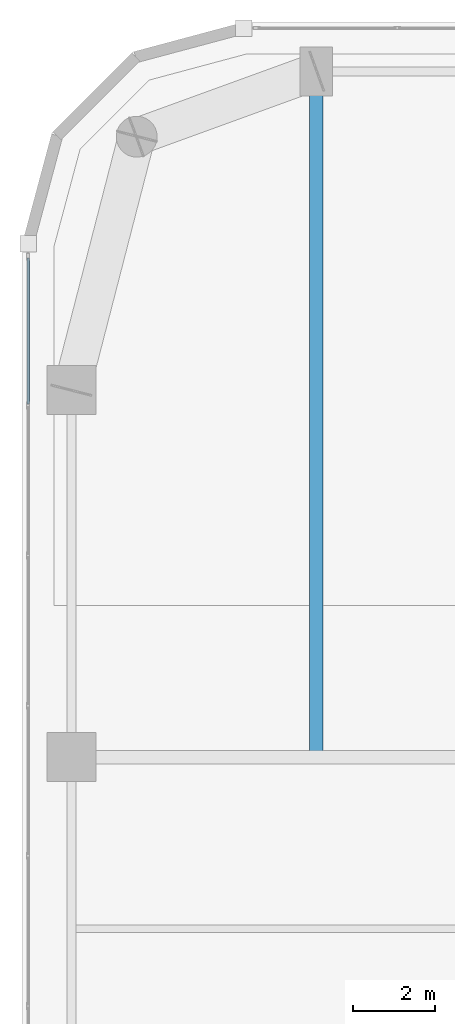
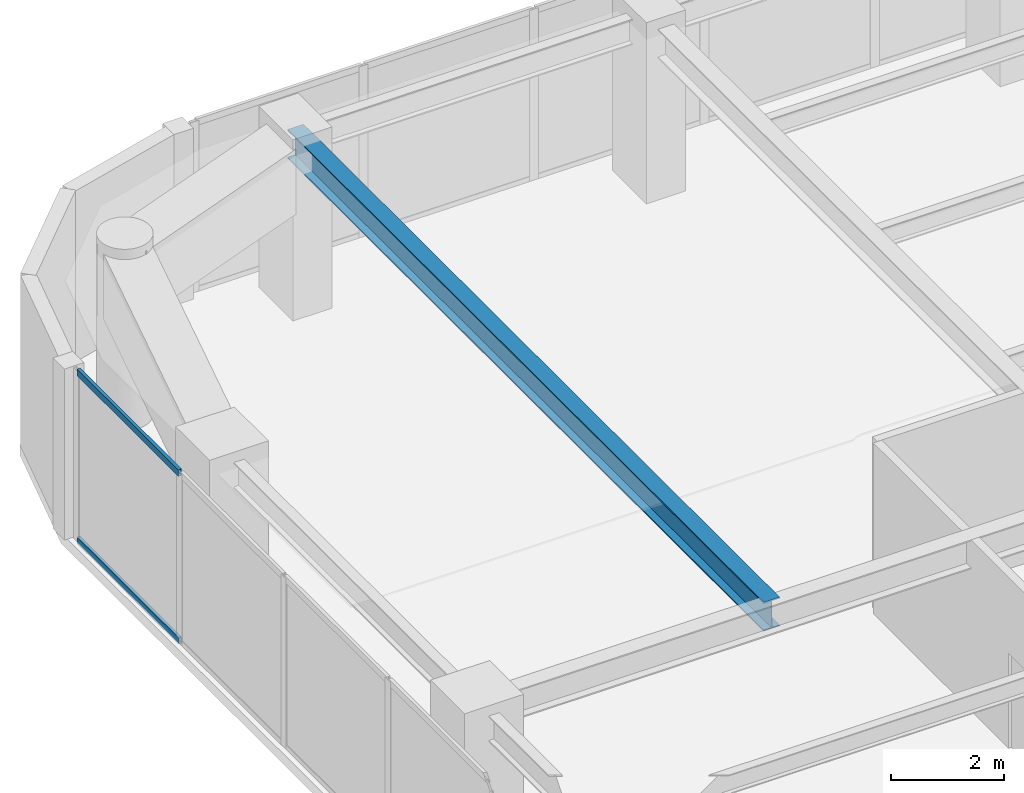
# One storey, part 14 of 30: 2 members, 1 beam, 1 element without a shape of its own.
"""IFC4 building model written with IfcOpenShell, lengths in metres."""

import ifcopenshell
import ifcopenshell.guid

model = None  # the IFC model being written
_history = None  # IfcOwnerHistory: only IFC2X3 demands one
_inside = {}  # id of a spatial element -> (the spatial element, [elements in it])
_under = {}  # id of a project, library or spatial element -> (it, [spatial elements below it])
_declared = {}  # id of a project -> (the project, [libraries it declares])
_typed = {}  # id of a type object -> (the type object, [elements of that type])
_made_of = {}  # id of a material, layer set ... -> (it, [elements and type objects made of it])


def new_model(schema):
    """Start an empty IFC model of exactly this schema.

    Asked for "IFC4X3", IfcOpenShell would pick the latest addendum, in which some entities
    have other attributes; the version numbers below select the first issue.
    IFC2X3 requires an IfcOwnerHistory on every rooted entity: one is made here for all.
    """
    global model, _history
    if schema == "IFC4X3":
        model = ifcopenshell.file(schema_version=(4, 3, 0, 0))
    else:
        model = ifcopenshell.file(schema=schema)
    _inside.clear()
    _under.clear()
    _declared.clear()
    _typed.clear()
    _made_of.clear()
    _history = None
    if model.schema == "IFC2X3":
        org = make("IfcOrganization", Name="unknown")
        user = make(
            "IfcPersonAndOrganization",
            ThePerson=make("IfcPerson", FamilyName="unknown"),
            TheOrganization=org,
        )
        app = make(
            "IfcApplication",
            ApplicationDeveloper=org,
            Version="unknown",
            ApplicationFullName="unknown",
            ApplicationIdentifier="unknown",
        )
        _history = make(
            "IfcOwnerHistory",
            OwningUser=user,
            OwningApplication=app,
            ChangeAction="ADDED",
            CreationDate=0,
        )
    return model


def make(cls, **values):
    """One entity of the class cls with the attributes given. An attribute that is None is left unset."""
    return model.create_entity(
        cls, **{name: value for name, value in values.items() if value is not None}
    )


def rooted(cls, **values):
    """An entity with a GlobalId (a new one), such as an element, a storey or a relation."""
    return make(cls, GlobalId=ifcopenshell.guid.new(), OwnerHistory=_history, **values)


def si_unit(unit_type, name, prefix=None):
    """IfcSIUnit, for example si_unit("LENGTHUNIT", "METRE", prefix="MILLI")."""
    return make("IfcSIUnit", UnitType=unit_type, Prefix=prefix, Name=name)


def assignment(units):
    """IfcUnitAssignment: the units of a project."""
    return None if units is None else make("IfcUnitAssignment", Units=units)


def point(xyz):
    """IfcCartesianPoint."""
    return None if xyz is None else make("IfcCartesianPoint", Coordinates=xyz)


def direction(xyz):
    """IfcDirection."""
    return None if xyz is None else make("IfcDirection", DirectionRatios=xyz)


def frame(location, z_axis=None, x_axis=None):
    """IfcAxis2Placement3D, a coordinate frame: its origin and axes. An axis left out is left unset."""
    return make(
        "IfcAxis2Placement3D",
        Location=point(location),
        Axis=direction(z_axis),
        RefDirection=direction(x_axis),
    )


def frame_2d(location, x_axis=None):
    """IfcAxis2Placement2D, a coordinate frame in the plane: its origin and x axis."""
    return make(
        "IfcAxis2Placement2D", Location=point(location), RefDirection=direction(x_axis)
    )


def origin():
    """The frame at (0, 0, 0) with its axes left unset."""
    return frame((0.0, 0.0, 0.0))


def origin_2d():
    """The frame at (0, 0) in the plane with its x axis left unset."""
    return frame_2d((0.0, 0.0))


def place(relative_to, where):
    """IfcLocalPlacement: puts the frame where relative to a parent placement (None: the world)."""
    return make(
        "IfcLocalPlacement", PlacementRelTo=relative_to, RelativePlacement=where
    )


def context(
    kind, dimensions, precision=None, world=None, true_north=None, identifier=None
):
    """IfcGeometricRepresentationContext, for example the 3D "Model" context."""
    return make(
        "IfcGeometricRepresentationContext",
        ContextIdentifier=identifier,
        ContextType=kind,
        CoordinateSpaceDimension=dimensions,
        Precision=precision,
        WorldCoordinateSystem=world,
        TrueNorth=true_north,
    )


def subcontext(parent, identifier, kind, view, scale=None):
    """IfcGeometricRepresentationSubContext, for example "Body" below "Model"."""
    return make(
        "IfcGeometricRepresentationSubContext",
        ContextIdentifier=identifier,
        ContextType=kind,
        ParentContext=parent,
        TargetScale=scale,
        TargetView=view,
    )


def project(units=None, contexts=None):
    """IfcProject with its units and contexts."""
    return rooted(
        "IfcProject",
        Name="project",
        RepresentationContexts=contexts,
        UnitsInContext=assignment(units),
    )


def spatial(cls, under=None, at=None, **own):
    """A site, building, storey or space (cls), placed at a placement, below another one or the project."""
    s = rooted(cls, ObjectPlacement=at, **own)
    if under is not None:
        _under.setdefault(under.id(), (under, []))[1].append(s)
    return s


def profile(cls, at=None, kind="AREA", **sizes):
    """A parametric profile (cls). Its sizes go by their IFC names, for example OverallWidth=200.0."""
    return make(cls, ProfileType=kind, Position=at, **sizes)


def hollow_rectangle(**sizes):
    """IfcRectangleHollowProfileDef."""
    return profile("IfcRectangleHollowProfileDef", **sizes)


def i_section(**sizes):
    """IfcIShapeProfileDef."""
    return profile("IfcIShapeProfileDef", **sizes)


def extrude(swept, where, along, depth):
    """IfcExtrudedAreaSolid: the profile swept, set in the frame where, extruded along a direction by depth."""
    return make(
        "IfcExtrudedAreaSolid",
        SweptArea=swept,
        Position=where,
        ExtrudedDirection=direction(along),
        Depth=depth,
    )


def shape(context_of_items, identifier, shape_type, items):
    """IfcShapeRepresentation: the items that make up one representation, for example the "Body"."""
    return make(
        "IfcShapeRepresentation",
        ContextOfItems=context_of_items,
        RepresentationIdentifier=identifier,
        RepresentationType=shape_type,
        Items=items,
    )


def material(Name=None, Category=None):
    """IfcMaterial."""
    return make("IfcMaterial", Name=Name, Category=Category)


def layer(
    of_material, thickness, ventilated=None, Name=None, Category=None, Priority=None
):
    """IfcMaterialLayer: one layer of a wall or slab, of a material (None: an air gap)."""
    return make(
        "IfcMaterialLayer",
        Material=of_material,
        LayerThickness=thickness,
        IsVentilated=ventilated,
        Name=Name,
        Category=Category,
        Priority=Priority,
    )


def layer_set(layers, Name=None):
    """IfcMaterialLayerSet."""
    return make("IfcMaterialLayerSet", MaterialLayers=layers, LayerSetName=Name)


def material_profile(
    of_material, cross_section, Name=None, Category=None, Priority=None
):
    """IfcMaterialProfile: a cross section and its material."""
    return make(
        "IfcMaterialProfile",
        Name=Name,
        Material=of_material,
        Profile=cross_section,
        Priority=Priority,
        Category=Category,
    )


def profile_set(profiles, Name=None, composite=None):
    """IfcMaterialProfileSet."""
    return make(
        "IfcMaterialProfileSet",
        Name=Name,
        MaterialProfiles=profiles,
        CompositeProfile=composite,
    )


def made_of(thing, what):
    """Note that an element or type object is made of a material, layer set ...; save() writes the relation."""
    if what is not None:
        _made_of.setdefault(what.id(), (what, []))[1].append(thing)
    return thing


def type_object(cls, material=None, **own):
    """A type object (cls), such as IfcWallType, which elements share."""
    return made_of(rooted(cls, **own), material)


def element(
    cls,
    number,
    at=None,
    inside=None,
    cuts=None,
    type_object=None,
    material=None,
    context=None,
    identifier="Body",
    shape_type=None,
    held_by="IfcProductDefinitionShape",
    body=None,
    shapes=None,
    **own,
):
    """One element of the class cls, such as IfcWall. Its Tag is "e" and its number.

    at: its placement. inside: the storey or other place that contains it. cuts: it is an
    opening in that element (IfcRelVoidsElement). A single representation is given by context,
    identifier, shape_type and body (its items); several are given by shapes. held_by: the class
    of the entity that holds the representations. save() writes the other relations.
    """
    e = rooted(cls, Tag="e%d" % number, ObjectPlacement=at, **own)
    if body is not None:
        shapes = [shape(context, identifier, shape_type, body)]
    if shapes is not None:
        e.Representation = make(held_by, Representations=shapes)
    if inside is not None:
        _inside.setdefault(inside.id(), (inside, []))[1].append(e)
    if cuts is not None:
        rooted(
            "IfcRelVoidsElement", RelatingBuildingElement=cuts, RelatedOpeningElement=e
        )
    if type_object is not None:
        _typed.setdefault(type_object.id(), (type_object, []))[1].append(e)
    return made_of(e, material)


def aggregate(whole, parts):
    """IfcRelAggregates: a whole, such as a stair, and the parts it consists of."""
    return rooted("IfcRelAggregates", RelatingObject=whole, RelatedObjects=parts)


def save(model, path):
    """Write the relations noted so far, then the file.

    IfcRelAggregates (storeys below a building ...), IfcRelContainedInSpatialStructure (elements
    in a storey), IfcRelDefinesByType, IfcRelAssociatesMaterial and IfcRelDeclares: one each for
    every whole, place, type object, material and project.
    """
    for whole, parts in _under.values():
        aggregate(whole, parts)
    for where, things in _inside.values():
        rooted(
            "IfcRelContainedInSpatialStructure",
            RelatedElements=things,
            RelatingStructure=where,
        )
    for kind, things in _typed.values():
        rooted("IfcRelDefinesByType", RelatedObjects=things, RelatingType=kind)
    for what, things in _made_of.values():
        rooted("IfcRelAssociatesMaterial", RelatedObjects=things, RelatingMaterial=what)
    for by, libraries in _declared.values():
        rooted("IfcRelDeclares", RelatingContext=by, RelatedDefinitions=libraries)
    model.write(path)


model = new_model("IFC4")

# Units and contexts
model_context = context("Model", 3, precision=1e-05, world=origin(), true_north=direction((0.0, 1.0)))
body_context = subcontext(model_context, "Body", "Model", "MODEL_VIEW")
ifc_project = project(units=[si_unit("LENGTHUNIT", "METRE"), si_unit("AREAUNIT", "SQUARE_METRE"), si_unit("VOLUMEUNIT", "CUBIC_METRE"), si_unit("PLANEANGLEUNIT", "RADIAN"), si_unit("MASSUNIT", "GRAM", prefix="KILO")], contexts=[model_context])

# Site, building, storey
site_placement = place(None, origin())
site = spatial("IfcSite", under=ifc_project, at=site_placement, CompositionType="ELEMENT")
building_placement = place(site_placement, origin())
building = spatial("IfcBuilding", under=site, at=building_placement, Name="Kiyonajd Concourse Tower", CompositionType="ELEMENT")
storey_placement = place(building_placement, frame((0.0, 0.0, 190.199951171875)))
storey = spatial("IfcBuildingStorey", under=building, at=storey_placement, Name="L48", CompositionType="ELEMENT", Elevation=190.199951171875)

# Beam
ifc_material_1 = material(Name="Steel ASTM A992 Grade 50", Category="steel")
ifc_material_profile_1 = material_profile(ifc_material_1, i_section(OverallWidth=0.326904296875, OverallDepth=0.6220703125, WebThickness=0.015380859375, FlangeThickness=0.0244140625, at=origin_2d()), Name="W610X195")
ifc_profile_set_1 = profile_set([ifc_material_profile_1], Name="Steel ASTM A992 Grade 50")
beam_type = type_object("IfcBeamType", Name="BM-TWR-610A", PredefinedType="BEAM", material=ifc_profile_set_1)
beam_placement = place(storey_placement, frame((25.199951171875, 44.39990234375, 3.369140625), z_axis=(0.0, 1.0, 0.0), x_axis=(-1.0, 0.0, 0.0)))
element("IfcBeam", 1, at=beam_placement, inside=storey, type_object=beam_type, Name="L48 North Lease Girder", PredefinedType="BEAM", context=body_context, shape_type="SweptSolid", body=[
    extrude(i_section(OverallWidth=0.326904296875, OverallDepth=0.6220703125, WebThickness=0.015380859375, FlangeThickness=0.0244140625, at=origin_2d()), origin(), (0.0, 0.0, 1.0), 16.800048828125),
])

# Curtain wall, members
ifc_material_2 = material(Name="Thermally Broken Anodised Aluminium", Category="aluminium")
ifc_layer = layer(ifc_material_2, 0.179931640625)
ifc_layer_set = layer_set([ifc_layer], Name="Thermally Broken Anodised Aluminium")
curtain_wall_type = type_object("IfcCurtainWallType", Name="CW-SYS-03", PredefinedType="NOTDEFINED", material=ifc_layer_set)
curtain_wall_placement = place(storey_placement, origin())
curtain_wall = element("IfcCurtainWall", 2, at=curtain_wall_placement, inside=storey, type_object=curtain_wall_type, Name="L48 Unitised Curtain Wall CW3", PredefinedType="NOTDEFINED")
ifc_material_profile_2 = material_profile(ifc_material_2, hollow_rectangle(XDim=0.06494140625, YDim=0.139892578125, WallThickness=0.00390625, at=origin_2d()), Name="TRAN-65x140")
ifc_profile_set_2 = profile_set([ifc_material_profile_2], Name="Thermally Broken Anodised Aluminium")
member_type = type_object("IfcMemberType", Name="MB-CW-TRAN1", PredefinedType="USERDEFINED", material=ifc_profile_set_2)
member_1_placement = place(storey_placement, frame((18.139892578125, 53.047119140625, 0.032470703125), z_axis=(0.0, 1.0, 0.0), x_axis=(-1.0, 0.0, 0.0)))
member_1 = element("IfcMember", 3, at=member_1_placement, type_object=member_type, Name="CW3 transom 6.1", ObjectType="TRANSOM", PredefinedType="USERDEFINED", context=body_context, shape_type="SweptSolid", body=[
    extrude(hollow_rectangle(XDim=0.06494140625, YDim=0.139892578125, WallThickness=0.00390625, at=origin_2d()), origin(), (0.0, 0.0, 1.0), 3.57958984375),
])
member_2_placement = place(storey_placement, frame((18.139892578125, 53.047119140625, 3.6474609375), z_axis=(0.0, 1.0, 0.0), x_axis=(-1.0, 0.0, 0.0)))
member_2 = element("IfcMember", 4, at=member_2_placement, type_object=member_type, Name="CW3 transom 6.2", ObjectType="TRANSOM", PredefinedType="USERDEFINED", context=body_context, shape_type="SweptSolid", body=[
    extrude(hollow_rectangle(XDim=0.06494140625, YDim=0.139892578125, WallThickness=0.00390625, at=origin_2d()), origin(), (0.0, 0.0, 1.0), 3.57958984375),
])
aggregate(curtain_wall, [member_1, member_2])

save(model, "model.ifc")
